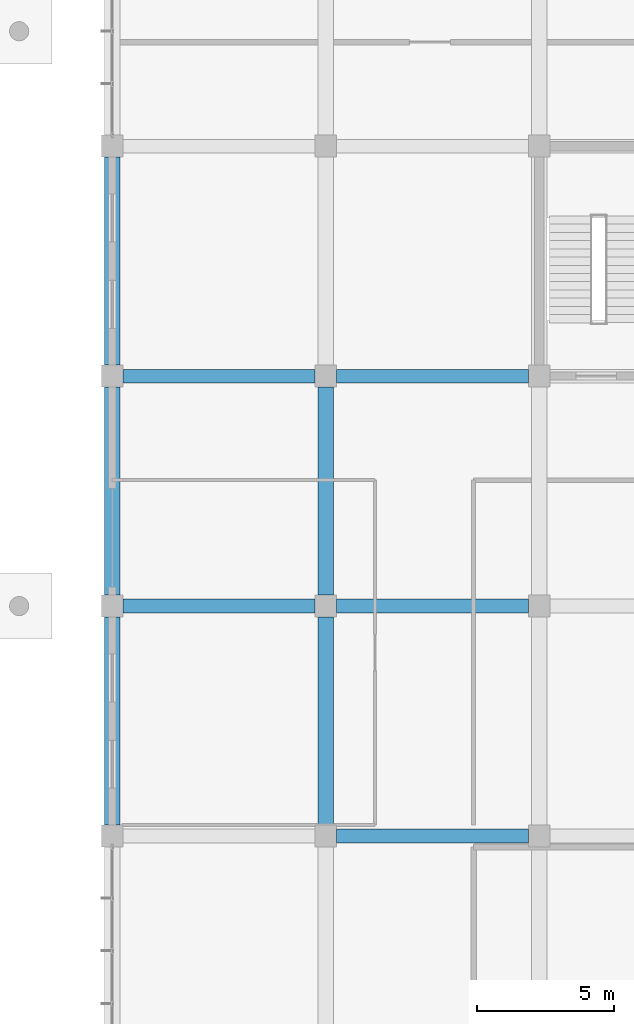
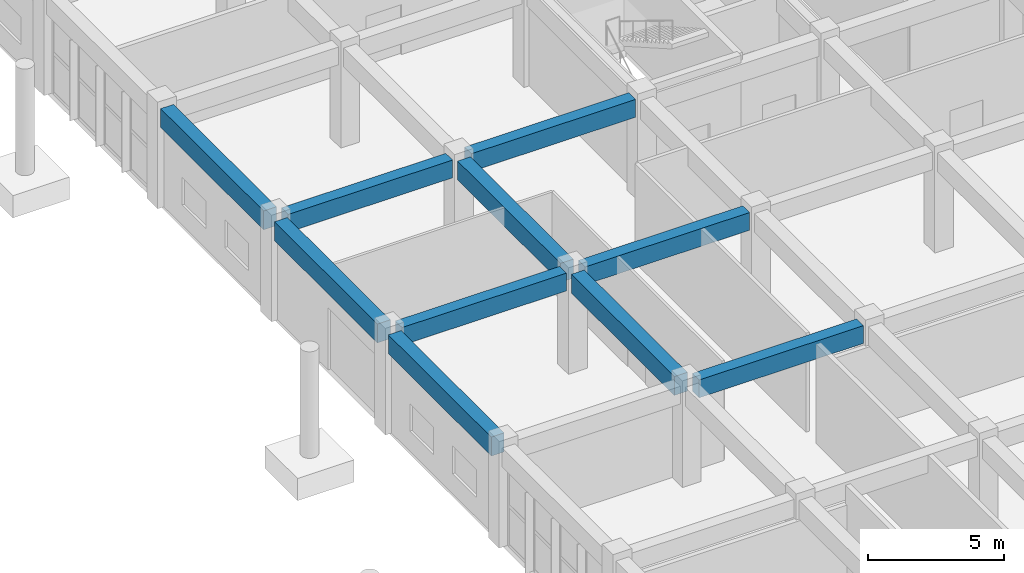
# One storey, part 36 of 139: 10 beams.
"""IFC4 building model written with IfcOpenShell, lengths in metres."""

from ifc_helpers import new_model, si_unit, direction, frame, origin, origin_2d, place, context, subcontext, project, spatial, rectangle, extrude, material, material_profile, profile_set, type_object, element, save


model = new_model("IFC4")

# Units and contexts
model_context = context("Model", 3, precision=1e-05, world=origin(), true_north=direction((0.0, 1.0)))
body_context = subcontext(model_context, "Body", "Model", "MODEL_VIEW")
ifc_project = project(units=[si_unit("LENGTHUNIT", "METRE"), si_unit("AREAUNIT", "SQUARE_METRE"), si_unit("VOLUMEUNIT", "CUBIC_METRE"), si_unit("PLANEANGLEUNIT", "RADIAN"), si_unit("MASSUNIT", "GRAM", prefix="KILO")], contexts=[model_context])

# Site, building, storey
site_placement = place(None, origin())
site = spatial("IfcSite", under=ifc_project, at=site_placement, CompositionType="ELEMENT")
building_placement = place(site_placement, origin())
building = spatial("IfcBuilding", under=site, at=building_placement, Name="Zizhar Promenade General Hospital", CompositionType="ELEMENT")
storey_placement = place(building_placement, origin())
storey = spatial("IfcBuildingStorey", under=building, at=storey_placement, Name="L00", CompositionType="ELEMENT", Elevation=0.0)

# Beams
ifc_material_1 = material(Name="Concrete C35/45", Category="concrete")
ifc_material_profile_1 = material_profile(ifc_material_1, rectangle(XDim=0.5, YDim=0.800048828125, at=origin_2d()))
ifc_profile_set_1 = profile_set([ifc_material_profile_1], Name="Concrete C35/45")
beam_type_1 = type_object("IfcBeamType", Name="BM-RC-500x800", PredefinedType="BEAM", material=ifc_profile_set_1)
for number, where, z_axis, x_axis, name in (
    (1, (47.199951171875, 100.800048828125, 4.070068359375), (1.0, 0.0, 0.0), (0.0, 1.0, 0.0), "Grid Beam X L00 (6-12)"),
    (2, (47.199951171875, 109.199951171875, 4.070068359375), (1.0, 0.0, 0.0), (0.0, 1.0, 0.0), "Grid Beam X L00 (6-13)"),
    (3, (55.0, 92.39990234375, 4.070068359375), (1.0, 0.0, 0.0), (0.0, 1.0, 0.0), "Grid Beam X L00 (7-11)"),
    (4, (55.0, 100.800048828125, 4.070068359375), (1.0, 0.0, 0.0), (0.0, 1.0, 0.0), "Grid Beam X L00 (7-12)"),
    (5, (55.0, 109.199951171875, 4.070068359375), (1.0, 0.0, 0.0), (0.0, 1.0, 0.0), "Grid Beam X L00 (7-13)"),
):
    element("IfcBeam", number, at=place(storey_placement, frame(where, z_axis=z_axis, x_axis=x_axis)), inside=storey, type_object=beam_type_1, Name=name, PredefinedType="BEAM", context=body_context, shape_type="SweptSolid", body=[
        extrude(rectangle(XDim=0.5, YDim=0.800048828125, at=origin_2d()), origin(), (0.0, 0.0, 1.0), 7.0),
    ])
ifc_material_2 = material(Name="Concrete C35/45", Category="concrete")
ifc_material_profile_2 = material_profile(ifc_material_2, rectangle(XDim=0.550048828125, YDim=0.85009765625, at=origin_2d()))
ifc_profile_set_2 = profile_set([ifc_material_profile_2], Name="Concrete C35/45")
beam_type_2 = type_object("IfcBeamType", Name="BM-RC-550x850", PredefinedType="BEAM", material=ifc_profile_set_2)
beam_1_placement = place(storey_placement, frame((46.800048828125, 92.800048828125, 4.044921875), z_axis=(0.0, 1.0, 0.0), x_axis=(-1.0, 0.0, 0.0)))
element("IfcBeam", 6, at=beam_1_placement, inside=storey, type_object=beam_type_2, Name="Grid Beam Y L00 (6-11)", PredefinedType="BEAM", context=body_context, shape_type="SweptSolid", body=[
    extrude(rectangle(XDim=0.550048828125, YDim=0.85009765625, at=origin_2d()), origin(), (0.0, 0.0, 1.0), 7.599853515625),
])
beam_2_placement = place(storey_placement, frame((46.800048828125, 101.199951171875, 4.044921875), z_axis=(0.0, 1.0, 0.0), x_axis=(-1.0, 0.0, 0.0)))
element("IfcBeam", 7, at=beam_2_placement, inside=storey, type_object=beam_type_2, Name="Grid Beam Y L00 (6-12)", PredefinedType="BEAM", context=body_context, shape_type="SweptSolid", body=[
    extrude(rectangle(XDim=0.550048828125, YDim=0.85009765625, at=origin_2d()), origin(), (0.0, 0.0, 1.0), 7.60009765625),
])
for number, where, z_axis, x_axis, name in (
    (8, (46.800048828125, 109.60009765625, 4.044921875), (0.0, 1.0, 0.0), (-1.0, 0.0, 0.0), "Grid Beam Y L00 (6-13)"),
    (9, (54.60009765625, 92.800048828125, 4.044921875), (0.0, 1.0, 0.0), (-1.0, 0.0, 0.0), "Grid Beam Y L00 (7-11)"),
):
    element("IfcBeam", number, at=place(storey_placement, frame(where, z_axis=z_axis, x_axis=x_axis)), inside=storey, type_object=beam_type_2, Name=name, PredefinedType="BEAM", context=body_context, shape_type="SweptSolid", body=[
        extrude(rectangle(XDim=0.550048828125, YDim=0.85009765625, at=origin_2d()), origin(), (0.0, 0.0, 1.0), 7.599853515625),
    ])
beam_3_placement = place(storey_placement, frame((54.60009765625, 101.199951171875, 4.044921875), z_axis=(0.0, 1.0, 0.0), x_axis=(-1.0, 0.0, 0.0)))
element("IfcBeam", 10, at=beam_3_placement, inside=storey, type_object=beam_type_2, Name="Grid Beam Y L00 (7-12)", PredefinedType="BEAM", context=body_context, shape_type="SweptSolid", body=[
    extrude(rectangle(XDim=0.550048828125, YDim=0.85009765625, at=origin_2d()), origin(), (0.0, 0.0, 1.0), 7.60009765625),
])

save(model, "model.ifc")
